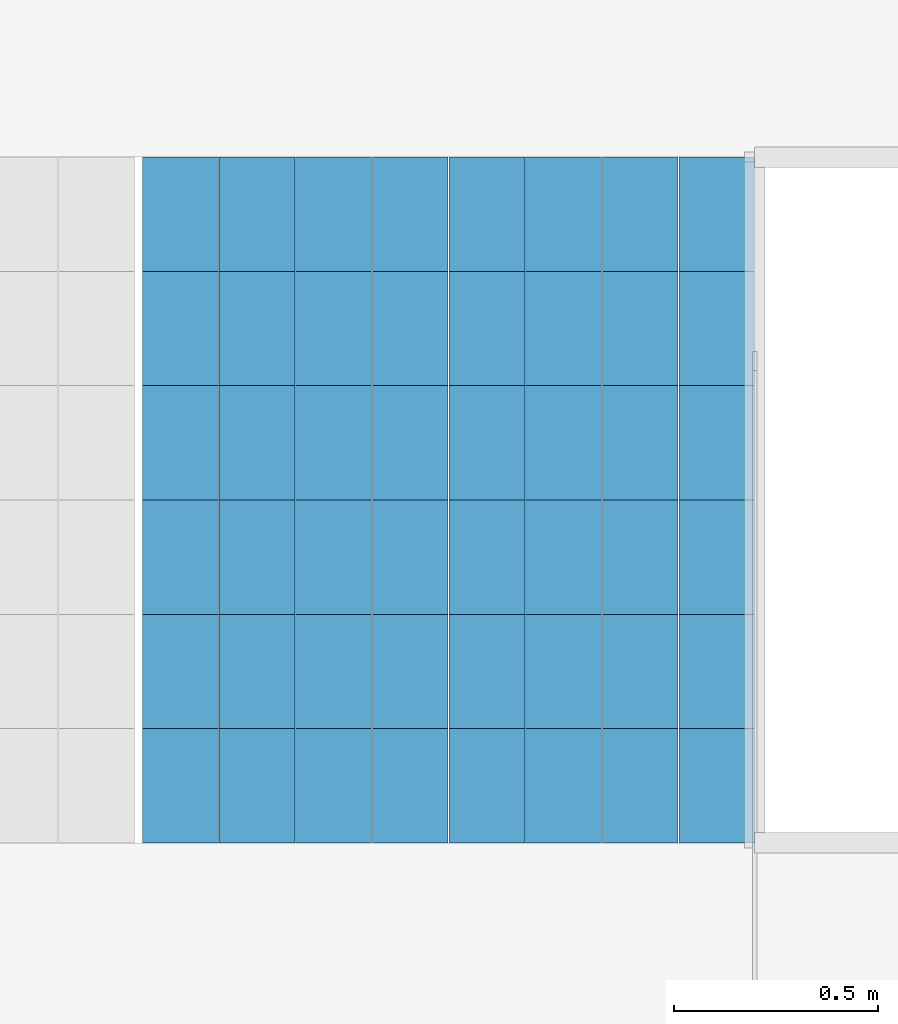
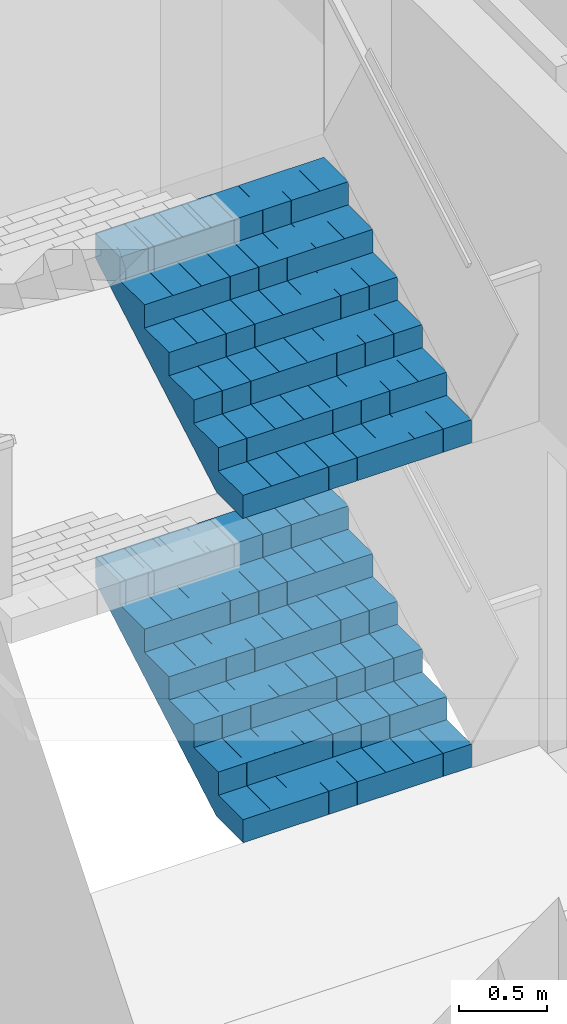
# One storey, part 21 of 23: 2 stair flights, 1 element without a shape of its own.
"""IFC4 building model written with IfcOpenShell, lengths in metres."""

from ifc_helpers import new_model, si_unit, direction, frame, origin, place, context, subcontext, project, spatial, polyline, outline, extrude, material, type_object, element, aggregate, save


model = new_model("IFC4")

# Units and contexts
model_context = context("Model", 3, precision=1e-05, world=origin(), true_north=direction((0.0, 1.0)))
body_context = subcontext(model_context, "Body", "Model", "MODEL_VIEW")
ifc_project = project(units=[si_unit("LENGTHUNIT", "METRE"), si_unit("AREAUNIT", "SQUARE_METRE"), si_unit("VOLUMEUNIT", "CUBIC_METRE"), si_unit("PLANEANGLEUNIT", "RADIAN"), si_unit("MASSUNIT", "GRAM", prefix="KILO")], contexts=[model_context])

# Site, building, storey
site_placement = place(None, origin())
site = spatial("IfcSite", under=ifc_project, at=site_placement, CompositionType="ELEMENT")
building_placement = place(site_placement, origin())
building = spatial("IfcBuilding", under=site, at=building_placement, Name="Kolab Exchange Tower", CompositionType="ELEMENT")
storey_placement = place(building_placement, frame((0.0, 0.0, 77.89990234375)))
storey = spatial("IfcBuildingStorey", under=building, at=storey_placement, Name="L14", CompositionType="ELEMENT", Elevation=77.89990234375)

# Stair, stair flights
ifc_material = material(Name="Concrete C50/60", Category="concrete")
stair_type = type_object("IfcStairType", Name="STAIR ST1 RISER 160.7", PredefinedType="DOUBLE_RETURN_STAIR", material=ifc_material)
stair_placement = place(storey_placement, origin())
stair = element("IfcStair", 1, at=stair_placement, inside=storey, type_object=stair_type, Name="Stair 1", PredefinedType="DOUBLE_RETURN_STAIR")
stair_flight_type = type_object("IfcStairFlightType", Name="STAIR FLIGHT 1500 RISER 160.7", PredefinedType="STRAIGHT", material=ifc_material)
stair_flight_1_placement = place(storey_placement, frame((-6.43994140625, 5.550048828125, 0.0), z_axis=(0.0, 0.0, 1.0), x_axis=(0.0, 1.0, 0.0)))
stair_flight_1 = element("IfcStairFlight", 2, at=stair_flight_1_placement, type_object=stair_flight_type, Name="ST1 flight 1", NumberOfRisers=7, NumberOfTreads=6, PredefinedType="STRAIGHT", RiserHeight=0.160714286, TreadLength=0.28, context=body_context, shape_type="SweptSolid", body=[
    extrude(outline(polyline([(0.0, 0.0), (0.0, 0.16064453125), (0.280029296875, 0.16064453125), (0.280029296875, 0.321533203125), (0.56005859375, 0.321533203125), (0.56005859375, 0.482177734375), (0.840087890625, 0.482177734375), (0.840087890625, 0.642822265625), (1.1201171875, 0.642822265625), (1.1201171875, 0.803466796875), (1.39990234375, 0.803466796875), (1.39990234375, 0.96435546875), (1.679931640625, 0.96435546875), (1.679931640625, 1.125), (1.679931640625, 0.79150390625), (0.301025390625, 0.0), (0.0, 0.0)])), frame((0.0, 0.75, 0.0), z_axis=(0.0, -1.0, 0.0), x_axis=(1.0, 0.0, 0.0)), (0.0, 0.0, 1.0), 0.185791015625),
    extrude(outline(polyline([(0.0, 0.0), (0.0, 0.16064453125), (0.280029296875, 0.16064453125), (0.280029296875, 0.321533203125), (0.56005859375, 0.321533203125), (0.56005859375, 0.482177734375), (0.840087890625, 0.482177734375), (0.840087890625, 0.642822265625), (1.1201171875, 0.642822265625), (1.1201171875, 0.803466796875), (1.39990234375, 0.803466796875), (1.39990234375, 0.96435546875), (1.679931640625, 0.96435546875), (1.679931640625, 1.125), (1.679931640625, 0.79150390625), (0.301025390625, 0.0), (0.0, 0.0)])), frame((0.0, 0.562255859375, 0.0), z_axis=(0.0, -1.0, 0.0), x_axis=(1.0, 0.0, 0.0)), (0.0, 0.0, 1.0), 0.185791015625),
    extrude(outline(polyline([(0.0, 0.0), (0.0, 0.16064453125), (0.280029296875, 0.16064453125), (0.280029296875, 0.321533203125), (0.56005859375, 0.321533203125), (0.56005859375, 0.482177734375), (0.840087890625, 0.482177734375), (0.840087890625, 0.642822265625), (1.1201171875, 0.642822265625), (1.1201171875, 0.803466796875), (1.39990234375, 0.803466796875), (1.39990234375, 0.96435546875), (1.679931640625, 0.96435546875), (1.679931640625, 1.125), (1.679931640625, 0.79150390625), (0.301025390625, 0.0), (0.0, 0.0)])), frame((0.0, 0.37451171875, 0.0), z_axis=(0.0, -1.0, 0.0), x_axis=(1.0, 0.0, 0.0)), (0.0, 0.0, 1.0), 0.185791015625),
    extrude(outline(polyline([(0.0, 0.0), (0.0, 0.16064453125), (0.280029296875, 0.16064453125), (0.280029296875, 0.321533203125), (0.56005859375, 0.321533203125), (0.56005859375, 0.482177734375), (0.840087890625, 0.482177734375), (0.840087890625, 0.642822265625), (1.1201171875, 0.642822265625), (1.1201171875, 0.803466796875), (1.39990234375, 0.803466796875), (1.39990234375, 0.96435546875), (1.679931640625, 0.96435546875), (1.679931640625, 1.125), (1.679931640625, 0.79150390625), (0.301025390625, 0.0), (0.0, 0.0)])), frame((0.0, 0.186767578125, 0.0), z_axis=(0.0, -1.0, 0.0), x_axis=(1.0, 0.0, 0.0)), (0.0, 0.0, 1.0), 0.185791015625),
    extrude(outline(polyline([(0.0, 0.0), (0.0, 0.16064453125), (0.280029296875, 0.16064453125), (0.280029296875, 0.321533203125), (0.56005859375, 0.321533203125), (0.56005859375, 0.482177734375), (0.840087890625, 0.482177734375), (0.840087890625, 0.642822265625), (1.1201171875, 0.642822265625), (1.1201171875, 0.803466796875), (1.39990234375, 0.803466796875), (1.39990234375, 0.96435546875), (1.679931640625, 0.96435546875), (1.679931640625, 1.125), (1.679931640625, 0.79150390625), (0.301025390625, 0.0), (0.0, 0.0)])), frame((0.0, -0.0009765625, 0.0), z_axis=(0.0, -1.0, 0.0), x_axis=(1.0, 0.0, 0.0)), (0.0, 0.0, 1.0), 0.185791015625),
    extrude(outline(polyline([(0.0, 0.0), (0.0, 0.16064453125), (0.280029296875, 0.16064453125), (0.280029296875, 0.321533203125), (0.56005859375, 0.321533203125), (0.56005859375, 0.482177734375), (0.840087890625, 0.482177734375), (0.840087890625, 0.642822265625), (1.1201171875, 0.642822265625), (1.1201171875, 0.803466796875), (1.39990234375, 0.803466796875), (1.39990234375, 0.96435546875), (1.679931640625, 0.96435546875), (1.679931640625, 1.125), (1.679931640625, 0.79150390625), (0.301025390625, 0.0), (0.0, 0.0)])), frame((0.0, -0.188720703125, 0.0), z_axis=(0.0, -1.0, 0.0), x_axis=(1.0, 0.0, 0.0)), (0.0, 0.0, 1.0), 0.185791015625),
    extrude(outline(polyline([(0.0, 0.0), (0.0, 0.16064453125), (0.280029296875, 0.16064453125), (0.280029296875, 0.321533203125), (0.56005859375, 0.321533203125), (0.56005859375, 0.482177734375), (0.840087890625, 0.482177734375), (0.840087890625, 0.642822265625), (1.1201171875, 0.642822265625), (1.1201171875, 0.803466796875), (1.39990234375, 0.803466796875), (1.39990234375, 0.96435546875), (1.679931640625, 0.96435546875), (1.679931640625, 1.125), (1.679931640625, 0.79150390625), (0.301025390625, 0.0), (0.0, 0.0)])), frame((0.0, -0.37646484375, 0.0), z_axis=(0.0, -1.0, 0.0), x_axis=(1.0, 0.0, 0.0)), (0.0, 0.0, 1.0), 0.185791015625),
    extrude(outline(polyline([(0.0, 0.0), (0.0, 0.16064453125), (0.280029296875, 0.16064453125), (0.280029296875, 0.321533203125), (0.56005859375, 0.321533203125), (0.56005859375, 0.482177734375), (0.840087890625, 0.482177734375), (0.840087890625, 0.642822265625), (1.1201171875, 0.642822265625), (1.1201171875, 0.803466796875), (1.39990234375, 0.803466796875), (1.39990234375, 0.96435546875), (1.679931640625, 0.96435546875), (1.679931640625, 1.125), (1.679931640625, 0.79150390625), (0.301025390625, 0.0), (0.0, 0.0)])), frame((0.0, -0.564208984375, 0.0), z_axis=(0.0, -1.0, 0.0), x_axis=(1.0, 0.0, 0.0)), (0.0, 0.0, 1.0), 0.185791015625),
])
stair_flight_2_placement = place(storey_placement, frame((-6.43994140625, 5.550048828125, 2.25), z_axis=(0.0, 0.0, 1.0), x_axis=(0.0, 1.0, 0.0)))
stair_flight_2 = element("IfcStairFlight", 3, at=stair_flight_2_placement, type_object=stair_flight_type, Name="ST1 flight 3", NumberOfRisers=7, NumberOfTreads=6, PredefinedType="STRAIGHT", RiserHeight=0.160714286, TreadLength=0.28, context=body_context, shape_type="SweptSolid", body=[
    extrude(outline(polyline([(0.0, 0.0), (0.0, 0.16064453125), (0.280029296875, 0.16064453125), (0.280029296875, 0.321533203125), (0.56005859375, 0.321533203125), (0.56005859375, 0.482177734375), (0.840087890625, 0.482177734375), (0.840087890625, 0.642822265625), (1.1201171875, 0.642822265625), (1.1201171875, 0.803466796875), (1.39990234375, 0.803466796875), (1.39990234375, 0.96435546875), (1.679931640625, 0.96435546875), (1.679931640625, 1.125), (1.679931640625, 0.79150390625), (0.301025390625, 0.0), (0.0, 0.0)])), frame((0.0, 0.75, 0.0), z_axis=(0.0, -1.0, 0.0), x_axis=(1.0, 0.0, 0.0)), (0.0, 0.0, 1.0), 0.185791015625),
    extrude(outline(polyline([(0.0, 0.0), (0.0, 0.16064453125), (0.280029296875, 0.16064453125), (0.280029296875, 0.321533203125), (0.56005859375, 0.321533203125), (0.56005859375, 0.482177734375), (0.840087890625, 0.482177734375), (0.840087890625, 0.642822265625), (1.1201171875, 0.642822265625), (1.1201171875, 0.803466796875), (1.39990234375, 0.803466796875), (1.39990234375, 0.96435546875), (1.679931640625, 0.96435546875), (1.679931640625, 1.125), (1.679931640625, 0.79150390625), (0.301025390625, 0.0), (0.0, 0.0)])), frame((0.0, 0.562255859375, 0.0), z_axis=(0.0, -1.0, 0.0), x_axis=(1.0, 0.0, 0.0)), (0.0, 0.0, 1.0), 0.185791015625),
    extrude(outline(polyline([(0.0, 0.0), (0.0, 0.16064453125), (0.280029296875, 0.16064453125), (0.280029296875, 0.321533203125), (0.56005859375, 0.321533203125), (0.56005859375, 0.482177734375), (0.840087890625, 0.482177734375), (0.840087890625, 0.642822265625), (1.1201171875, 0.642822265625), (1.1201171875, 0.803466796875), (1.39990234375, 0.803466796875), (1.39990234375, 0.96435546875), (1.679931640625, 0.96435546875), (1.679931640625, 1.125), (1.679931640625, 0.79150390625), (0.301025390625, 0.0), (0.0, 0.0)])), frame((0.0, 0.37451171875, 0.0), z_axis=(0.0, -1.0, 0.0), x_axis=(1.0, 0.0, 0.0)), (0.0, 0.0, 1.0), 0.185791015625),
    extrude(outline(polyline([(0.0, 0.0), (0.0, 0.16064453125), (0.280029296875, 0.16064453125), (0.280029296875, 0.321533203125), (0.56005859375, 0.321533203125), (0.56005859375, 0.482177734375), (0.840087890625, 0.482177734375), (0.840087890625, 0.642822265625), (1.1201171875, 0.642822265625), (1.1201171875, 0.803466796875), (1.39990234375, 0.803466796875), (1.39990234375, 0.96435546875), (1.679931640625, 0.96435546875), (1.679931640625, 1.125), (1.679931640625, 0.79150390625), (0.301025390625, 0.0), (0.0, 0.0)])), frame((0.0, 0.186767578125, 0.0), z_axis=(0.0, -1.0, 0.0), x_axis=(1.0, 0.0, 0.0)), (0.0, 0.0, 1.0), 0.185791015625),
    extrude(outline(polyline([(0.0, 0.0), (0.0, 0.16064453125), (0.280029296875, 0.16064453125), (0.280029296875, 0.321533203125), (0.56005859375, 0.321533203125), (0.56005859375, 0.482177734375), (0.840087890625, 0.482177734375), (0.840087890625, 0.642822265625), (1.1201171875, 0.642822265625), (1.1201171875, 0.803466796875), (1.39990234375, 0.803466796875), (1.39990234375, 0.96435546875), (1.679931640625, 0.96435546875), (1.679931640625, 1.125), (1.679931640625, 0.79150390625), (0.301025390625, 0.0), (0.0, 0.0)])), frame((0.0, -0.0009765625, 0.0), z_axis=(0.0, -1.0, 0.0), x_axis=(1.0, 0.0, 0.0)), (0.0, 0.0, 1.0), 0.185791015625),
    extrude(outline(polyline([(0.0, 0.0), (0.0, 0.16064453125), (0.280029296875, 0.16064453125), (0.280029296875, 0.321533203125), (0.56005859375, 0.321533203125), (0.56005859375, 0.482177734375), (0.840087890625, 0.482177734375), (0.840087890625, 0.642822265625), (1.1201171875, 0.642822265625), (1.1201171875, 0.803466796875), (1.39990234375, 0.803466796875), (1.39990234375, 0.96435546875), (1.679931640625, 0.96435546875), (1.679931640625, 1.125), (1.679931640625, 0.79150390625), (0.301025390625, 0.0), (0.0, 0.0)])), frame((0.0, -0.188720703125, 0.0), z_axis=(0.0, -1.0, 0.0), x_axis=(1.0, 0.0, 0.0)), (0.0, 0.0, 1.0), 0.185791015625),
    extrude(outline(polyline([(0.0, 0.0), (0.0, 0.16064453125), (0.280029296875, 0.16064453125), (0.280029296875, 0.321533203125), (0.56005859375, 0.321533203125), (0.56005859375, 0.482177734375), (0.840087890625, 0.482177734375), (0.840087890625, 0.642822265625), (1.1201171875, 0.642822265625), (1.1201171875, 0.803466796875), (1.39990234375, 0.803466796875), (1.39990234375, 0.96435546875), (1.679931640625, 0.96435546875), (1.679931640625, 1.125), (1.679931640625, 0.79150390625), (0.301025390625, 0.0), (0.0, 0.0)])), frame((0.0, -0.37646484375, 0.0), z_axis=(0.0, -1.0, 0.0), x_axis=(1.0, 0.0, 0.0)), (0.0, 0.0, 1.0), 0.185791015625),
    extrude(outline(polyline([(0.0, 0.0), (0.0, 0.16064453125), (0.280029296875, 0.16064453125), (0.280029296875, 0.321533203125), (0.56005859375, 0.321533203125), (0.56005859375, 0.482177734375), (0.840087890625, 0.482177734375), (0.840087890625, 0.642822265625), (1.1201171875, 0.642822265625), (1.1201171875, 0.803466796875), (1.39990234375, 0.803466796875), (1.39990234375, 0.96435546875), (1.679931640625, 0.96435546875), (1.679931640625, 1.125), (1.679931640625, 0.79150390625), (0.301025390625, 0.0), (0.0, 0.0)])), frame((0.0, -0.564208984375, 0.0), z_axis=(0.0, -1.0, 0.0), x_axis=(1.0, 0.0, 0.0)), (0.0, 0.0, 1.0), 0.185791015625),
])
aggregate(stair, [stair_flight_1, stair_flight_2])

save(model, "model.ifc")
